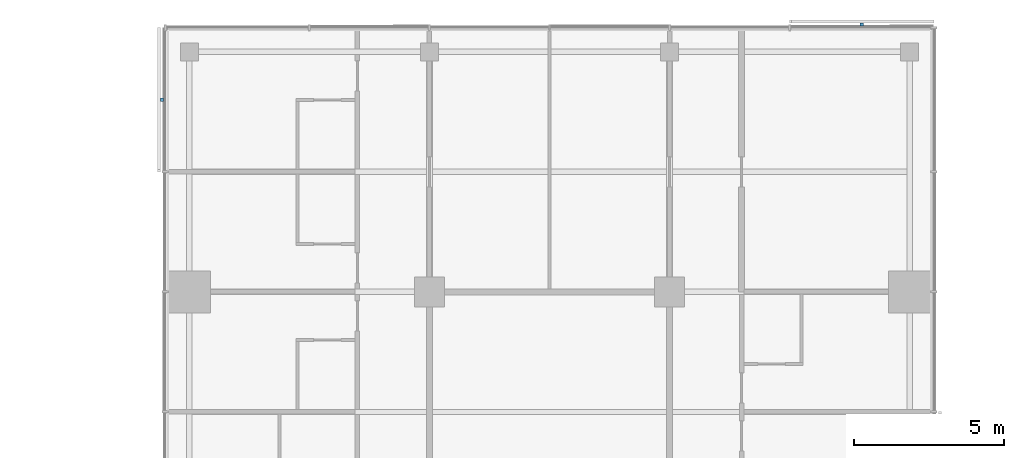
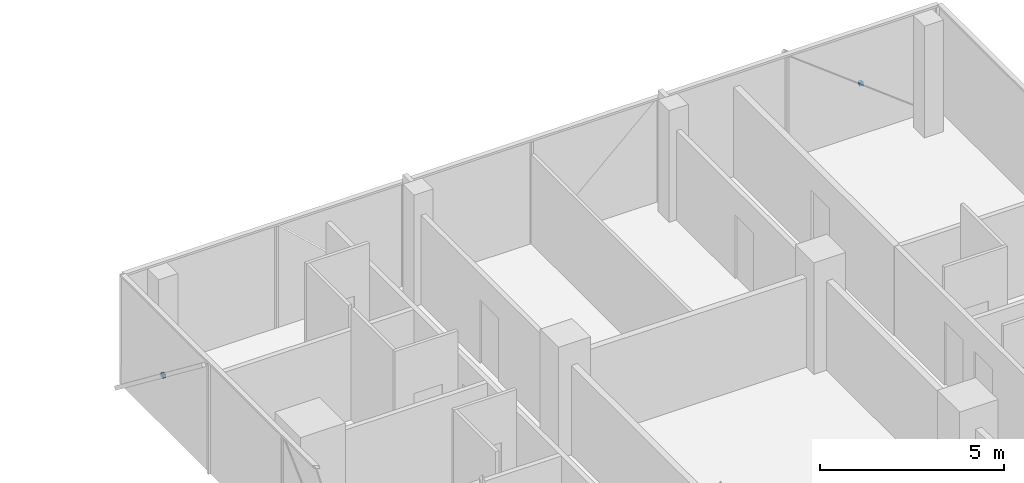
# One storey, part 26 of 27: 2 discrete accessories.
"""IFC4 building model written with IfcOpenShell, lengths in metres."""

import ifcopenshell
import ifcopenshell.guid

model = None  # the IFC model being written
_history = None  # IfcOwnerHistory: only IFC2X3 demands one
_inside = {}  # id of a spatial element -> (the spatial element, [elements in it])
_under = {}  # id of a project, library or spatial element -> (it, [spatial elements below it])
_declared = {}  # id of a project -> (the project, [libraries it declares])
_typed = {}  # id of a type object -> (the type object, [elements of that type])
_made_of = {}  # id of a material, layer set ... -> (it, [elements and type objects made of it])


def new_model(schema):
    """Start an empty IFC model of exactly this schema.

    Asked for "IFC4X3", IfcOpenShell would pick the latest addendum, in which some entities
    have other attributes; the version numbers below select the first issue.
    IFC2X3 requires an IfcOwnerHistory on every rooted entity: one is made here for all.
    """
    global model, _history
    if schema == "IFC4X3":
        model = ifcopenshell.file(schema_version=(4, 3, 0, 0))
    else:
        model = ifcopenshell.file(schema=schema)
    _inside.clear()
    _under.clear()
    _declared.clear()
    _typed.clear()
    _made_of.clear()
    _history = None
    if model.schema == "IFC2X3":
        org = make("IfcOrganization", Name="unknown")
        user = make(
            "IfcPersonAndOrganization",
            ThePerson=make("IfcPerson", FamilyName="unknown"),
            TheOrganization=org,
        )
        app = make(
            "IfcApplication",
            ApplicationDeveloper=org,
            Version="unknown",
            ApplicationFullName="unknown",
            ApplicationIdentifier="unknown",
        )
        _history = make(
            "IfcOwnerHistory",
            OwningUser=user,
            OwningApplication=app,
            ChangeAction="ADDED",
            CreationDate=0,
        )
    return model


def make(cls, **values):
    """One entity of the class cls with the attributes given. An attribute that is None is left unset."""
    return model.create_entity(
        cls, **{name: value for name, value in values.items() if value is not None}
    )


def rooted(cls, **values):
    """An entity with a GlobalId (a new one), such as an element, a storey or a relation."""
    return make(cls, GlobalId=ifcopenshell.guid.new(), OwnerHistory=_history, **values)


def si_unit(unit_type, name, prefix=None):
    """IfcSIUnit, for example si_unit("LENGTHUNIT", "METRE", prefix="MILLI")."""
    return make("IfcSIUnit", UnitType=unit_type, Prefix=prefix, Name=name)


def assignment(units):
    """IfcUnitAssignment: the units of a project."""
    return None if units is None else make("IfcUnitAssignment", Units=units)


def point(xyz):
    """IfcCartesianPoint."""
    return None if xyz is None else make("IfcCartesianPoint", Coordinates=xyz)


def direction(xyz):
    """IfcDirection."""
    return None if xyz is None else make("IfcDirection", DirectionRatios=xyz)


def frame(location, z_axis=None, x_axis=None):
    """IfcAxis2Placement3D, a coordinate frame: its origin and axes. An axis left out is left unset."""
    return make(
        "IfcAxis2Placement3D",
        Location=point(location),
        Axis=direction(z_axis),
        RefDirection=direction(x_axis),
    )


def frame_2d(location, x_axis=None):
    """IfcAxis2Placement2D, a coordinate frame in the plane: its origin and x axis."""
    return make(
        "IfcAxis2Placement2D", Location=point(location), RefDirection=direction(x_axis)
    )


def origin():
    """The frame at (0, 0, 0) with its axes left unset."""
    return frame((0.0, 0.0, 0.0))


def origin_2d():
    """The frame at (0, 0) in the plane with its x axis left unset."""
    return frame_2d((0.0, 0.0))


def place(relative_to, where):
    """IfcLocalPlacement: puts the frame where relative to a parent placement (None: the world)."""
    return make(
        "IfcLocalPlacement", PlacementRelTo=relative_to, RelativePlacement=where
    )


def context(
    kind, dimensions, precision=None, world=None, true_north=None, identifier=None
):
    """IfcGeometricRepresentationContext, for example the 3D "Model" context."""
    return make(
        "IfcGeometricRepresentationContext",
        ContextIdentifier=identifier,
        ContextType=kind,
        CoordinateSpaceDimension=dimensions,
        Precision=precision,
        WorldCoordinateSystem=world,
        TrueNorth=true_north,
    )


def subcontext(parent, identifier, kind, view, scale=None):
    """IfcGeometricRepresentationSubContext, for example "Body" below "Model"."""
    return make(
        "IfcGeometricRepresentationSubContext",
        ContextIdentifier=identifier,
        ContextType=kind,
        ParentContext=parent,
        TargetScale=scale,
        TargetView=view,
    )


def project(units=None, contexts=None):
    """IfcProject with its units and contexts."""
    return rooted(
        "IfcProject",
        Name="project",
        RepresentationContexts=contexts,
        UnitsInContext=assignment(units),
    )


def spatial(cls, under=None, at=None, **own):
    """A site, building, storey or space (cls), placed at a placement, below another one or the project."""
    s = rooted(cls, ObjectPlacement=at, **own)
    if under is not None:
        _under.setdefault(under.id(), (under, []))[1].append(s)
    return s


def profile(cls, at=None, kind="AREA", **sizes):
    """A parametric profile (cls). Its sizes go by their IFC names, for example OverallWidth=200.0."""
    return make(cls, ProfileType=kind, Position=at, **sizes)


def rectangle(**sizes):
    """IfcRectangleProfileDef."""
    return profile("IfcRectangleProfileDef", **sizes)


def extrude(swept, where, along, depth):
    """IfcExtrudedAreaSolid: the profile swept, set in the frame where, extruded along a direction by depth."""
    return make(
        "IfcExtrudedAreaSolid",
        SweptArea=swept,
        Position=where,
        ExtrudedDirection=direction(along),
        Depth=depth,
    )


def shape(context_of_items, identifier, shape_type, items):
    """IfcShapeRepresentation: the items that make up one representation, for example the "Body"."""
    return make(
        "IfcShapeRepresentation",
        ContextOfItems=context_of_items,
        RepresentationIdentifier=identifier,
        RepresentationType=shape_type,
        Items=items,
    )


def material(Name=None, Category=None):
    """IfcMaterial."""
    return make("IfcMaterial", Name=Name, Category=Category)


def made_of(thing, what):
    """Note that an element or type object is made of a material, layer set ...; save() writes the relation."""
    if what is not None:
        _made_of.setdefault(what.id(), (what, []))[1].append(thing)
    return thing


def type_object(cls, material=None, **own):
    """A type object (cls), such as IfcWallType, which elements share."""
    return made_of(rooted(cls, **own), material)


def element(
    cls,
    number,
    at=None,
    inside=None,
    cuts=None,
    type_object=None,
    material=None,
    context=None,
    identifier="Body",
    shape_type=None,
    held_by="IfcProductDefinitionShape",
    body=None,
    shapes=None,
    **own,
):
    """One element of the class cls, such as IfcWall. Its Tag is "e" and its number.

    at: its placement. inside: the storey or other place that contains it. cuts: it is an
    opening in that element (IfcRelVoidsElement). A single representation is given by context,
    identifier, shape_type and body (its items); several are given by shapes. held_by: the class
    of the entity that holds the representations. save() writes the other relations.
    """
    e = rooted(cls, Tag="e%d" % number, ObjectPlacement=at, **own)
    if body is not None:
        shapes = [shape(context, identifier, shape_type, body)]
    if shapes is not None:
        e.Representation = make(held_by, Representations=shapes)
    if inside is not None:
        _inside.setdefault(inside.id(), (inside, []))[1].append(e)
    if cuts is not None:
        rooted(
            "IfcRelVoidsElement", RelatingBuildingElement=cuts, RelatedOpeningElement=e
        )
    if type_object is not None:
        _typed.setdefault(type_object.id(), (type_object, []))[1].append(e)
    return made_of(e, material)


def aggregate(whole, parts):
    """IfcRelAggregates: a whole, such as a stair, and the parts it consists of."""
    return rooted("IfcRelAggregates", RelatingObject=whole, RelatedObjects=parts)


def save(model, path):
    """Write the relations noted so far, then the file.

    IfcRelAggregates (storeys below a building ...), IfcRelContainedInSpatialStructure (elements
    in a storey), IfcRelDefinesByType, IfcRelAssociatesMaterial and IfcRelDeclares: one each for
    every whole, place, type object, material and project.
    """
    for whole, parts in _under.values():
        aggregate(whole, parts)
    for where, things in _inside.values():
        rooted(
            "IfcRelContainedInSpatialStructure",
            RelatedElements=things,
            RelatingStructure=where,
        )
    for kind, things in _typed.values():
        rooted("IfcRelDefinesByType", RelatedObjects=things, RelatingType=kind)
    for what, things in _made_of.values():
        rooted("IfcRelAssociatesMaterial", RelatedObjects=things, RelatingMaterial=what)
    for by, libraries in _declared.values():
        rooted("IfcRelDeclares", RelatingContext=by, RelatedDefinitions=libraries)
    model.write(path)


model = new_model("IFC4")

# Units and contexts
model_context = context("Model", 3, precision=1e-05, world=origin(), true_north=direction((0.0, 1.0)))
body_context = subcontext(model_context, "Body", "Model", "MODEL_VIEW")
ifc_project = project(units=[si_unit("LENGTHUNIT", "METRE"), si_unit("AREAUNIT", "SQUARE_METRE"), si_unit("VOLUMEUNIT", "CUBIC_METRE"), si_unit("PLANEANGLEUNIT", "RADIAN"), si_unit("MASSUNIT", "GRAM", prefix="KILO")], contexts=[model_context])

# Site, building, storey
site_placement = place(None, origin())
site = spatial("IfcSite", under=ifc_project, at=site_placement, CompositionType="ELEMENT")
building_placement = place(site_placement, origin())
building = spatial("IfcBuilding", under=site, at=building_placement, Name="Crosswind Convention Tower", CompositionType="ELEMENT")
storey_placement = place(building_placement, frame((0.0, 0.0, 68.300048828125)))
storey = spatial("IfcBuildingStorey", under=building, at=storey_placement, Name="L11", CompositionType="ELEMENT", Elevation=68.300048828125)

# Discrete accessories
ifc_material = material(Name="Stainless steel", Category="steel")
discrete_accessory_type = type_object("IfcDiscreteAccessoryType", Name="BAGUETTE BRACKET BK2", PredefinedType="BRACKET", material=ifc_material)
for number, where, z_axis, x_axis, name in (
    (1, (135.39990234375, 136.907958984375, 1.477294921875), (0.0, 0.0, 1.0), (-1.0, 0.0, 0.0), "BK2 baguette bracket"),
    (2, (112.092041015625, 134.39990234375, 1.477294921875), (0.0, 0.0, 1.0), (0.0, -1.0, 0.0), "BK2 baguette bracket"),
):
    element("IfcDiscreteAccessory", number, at=place(storey_placement, frame(where, z_axis=z_axis, x_axis=x_axis)), inside=storey, type_object=discrete_accessory_type, Name=name, PredefinedType="BRACKET", context=body_context, shape_type="SweptSolid", body=[
        extrude(rectangle(XDim=0.1201171875, YDim=0.10009765625, at=origin_2d()), origin(), (0.0, 0.0, 1.0), 0.1201171875),
    ])

save(model, "model.ifc")
